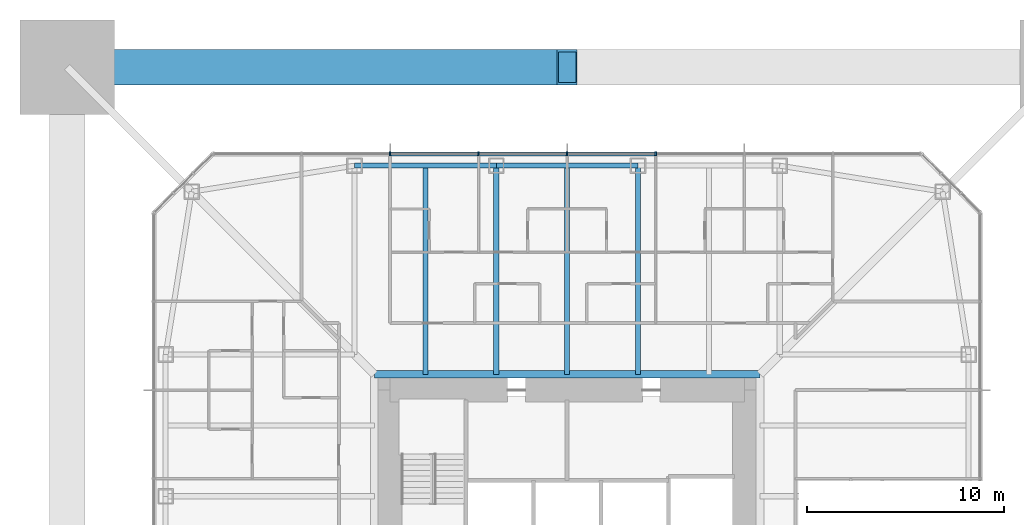
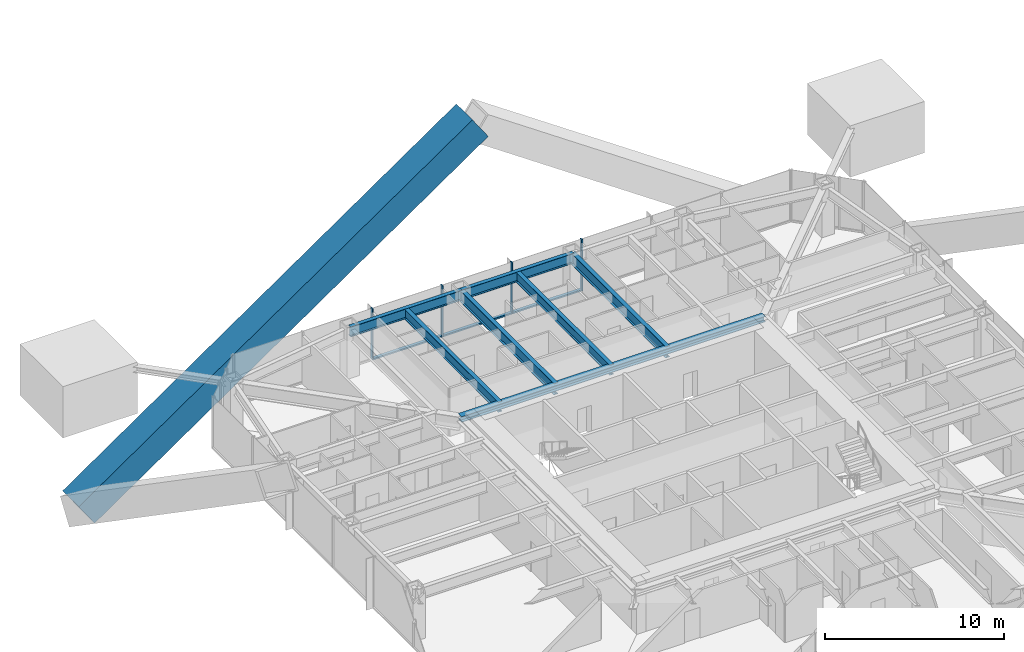
# One storey, part 7 of 26: 8 members, 7 beams, 1 element without a shape of its own.
"""IFC4 building model written with IfcOpenShell, lengths in metres."""

from ifc_helpers import new_model, si_unit, direction, frame, origin, origin_2d, place, context, subcontext, project, spatial, rectangle, hollow_rectangle, i_section, extrude, material, material_profile, profile_set, type_object, element, aggregate, save


model = new_model("IFC4")

# Units and contexts
model_context = context("Model", 3, precision=1e-05, world=origin(), true_north=direction((0.0, 1.0)))
body_context = subcontext(model_context, "Body", "Model", "MODEL_VIEW")
ifc_project = project(units=[si_unit("LENGTHUNIT", "METRE"), si_unit("AREAUNIT", "SQUARE_METRE"), si_unit("VOLUMEUNIT", "CUBIC_METRE"), si_unit("PLANEANGLEUNIT", "RADIAN"), si_unit("MASSUNIT", "GRAM", prefix="KILO")], contexts=[model_context])

# Site, building, storey
site_placement = place(None, origin())
site = spatial("IfcSite", under=ifc_project, at=site_placement, CompositionType="ELEMENT")
building_placement = place(site_placement, origin())
building = spatial("IfcBuilding", under=site, at=building_placement, Name="Iwan Alto Co-Living Towers", CompositionType="ELEMENT")
storey_placement = place(building_placement, frame((0.0, 0.0, 115.5)))
storey = spatial("IfcBuildingStorey", under=building, at=storey_placement, Name="L31", CompositionType="ELEMENT", Elevation=115.5)

# Curtain wall, members
ifc_material_1 = material(Name="Bronze aluminium unitised frame", Category="aluminium")
curtain_wall_type = type_object("IfcCurtainWallType", Name="CURTAIN WALL CW-A", PredefinedType="NOTDEFINED", material=ifc_material_1)
curtain_wall_placement = place(storey_placement, origin())
curtain_wall = element("IfcCurtainWall", 1, at=curtain_wall_placement, inside=storey, type_object=curtain_wall_type, Name="T1 curtain wall N L31", PredefinedType="NOTDEFINED")
ifc_material_2 = material(Name="Aluminium 6063-T6 bronze anodised", Category="aluminium")
ifc_material_profile_1 = material_profile(ifc_material_2, rectangle(XDim=0.199951171875, YDim=0.080078125, at=origin_2d()), Name="AL 80X200")
ifc_profile_set_1 = profile_set([ifc_material_profile_1], Name="Aluminium 6063-T6 bronze anodised")
member_type_1 = type_object("IfcMemberType", Name="CW-A MULLION 80X200", PredefinedType="MULLION", material=ifc_profile_set_1)
member_1_placement = place(storey_placement, frame((4.5, 21.0, 0.0), z_axis=(0.0, 0.0, 1.0), x_axis=(0.0, -1.0, 0.0)))
member_1 = element("IfcMember", 2, at=member_1_placement, type_object=member_type_1, Name="CW-A mullion 4", PredefinedType="MULLION", context=body_context, shape_type="SweptSolid", body=[
    extrude(rectangle(XDim=0.199951171875, YDim=0.080078125, at=origin_2d()), origin(), (0.0, 0.0, 1.0), 3.5),
])
member_2_placement = place(storey_placement, frame((0.0, 21.0, 0.0), z_axis=(0.0, 0.0, 1.0), x_axis=(0.0, -1.0, 0.0)))
member_2 = element("IfcMember", 3, at=member_2_placement, type_object=member_type_1, Name="CW-A mullion 5", PredefinedType="MULLION", context=body_context, shape_type="SweptSolid", body=[
    extrude(rectangle(XDim=0.199951171875, YDim=0.080078125, at=origin_2d()), origin(), (0.0, 0.0, 1.0), 3.5),
])
member_3_placement = place(storey_placement, frame((-4.5, 21.0, 0.0), z_axis=(0.0, 0.0, 1.0), x_axis=(0.0, -1.0, 0.0)))
member_3 = element("IfcMember", 4, at=member_3_placement, type_object=member_type_1, Name="CW-A mullion 6", PredefinedType="MULLION", context=body_context, shape_type="SweptSolid", body=[
    extrude(rectangle(XDim=0.199951171875, YDim=0.080078125, at=origin_2d()), origin(), (0.0, 0.0, 1.0), 3.5),
])
member_4_placement = place(storey_placement, frame((-9.0, 21.0, 0.0), z_axis=(0.0, 0.0, 1.0), x_axis=(0.0, -1.0, 0.0)))
member_4 = element("IfcMember", 5, at=member_4_placement, type_object=member_type_1, Name="CW-A mullion 7", PredefinedType="MULLION", context=body_context, shape_type="SweptSolid", body=[
    extrude(rectangle(XDim=0.199951171875, YDim=0.080078125, at=origin_2d()), origin(), (0.0, 0.0, 1.0), 3.5),
])
ifc_material_3 = material(Name="Aluminium 6063-T6 bronze anodised", Category="aluminium")
ifc_material_profile_2 = material_profile(ifc_material_3, rectangle(XDim=0.199951171875, YDim=0.10009765625, at=origin_2d()), Name="AL 200X100")
ifc_profile_set_2 = profile_set([ifc_material_profile_2], Name="Aluminium 6063-T6 bronze anodised")
member_type_2 = type_object("IfcMemberType", Name="CW-A TRANSOM 200X100", PredefinedType="USERDEFINED", material=ifc_profile_set_2)
member_5_placement = place(storey_placement, frame((4.4599609375, 21.0, 0.050048828125), z_axis=(-1.0, 0.0, 0.0), x_axis=(0.0, -1.0, 0.0)))
member_5 = element("IfcMember", 6, at=member_5_placement, type_object=member_type_2, Name="CW-A transom 4.1", ObjectType="TRANSOM", PredefinedType="USERDEFINED", context=body_context, shape_type="SweptSolid", body=[
    extrude(rectangle(XDim=0.199951171875, YDim=0.10009765625, at=origin_2d()), origin(), (0.0, 0.0, 1.0), 4.419921875),
])
member_6_placement = place(storey_placement, frame((-0.0400390625, 21.0, 0.050048828125), z_axis=(-1.0, 0.0, 0.0), x_axis=(0.0, -1.0, 0.0)))
member_6 = element("IfcMember", 7, at=member_6_placement, type_object=member_type_2, Name="CW-A transom 5.1", ObjectType="TRANSOM", PredefinedType="USERDEFINED", context=body_context, shape_type="SweptSolid", body=[
    extrude(rectangle(XDim=0.199951171875, YDim=0.10009765625, at=origin_2d()), origin(), (0.0, 0.0, 1.0), 4.419921875),
])
member_7_placement = place(storey_placement, frame((-4.5400390625, 21.0, 0.050048828125), z_axis=(-1.0, 0.0, 0.0), x_axis=(0.0, -1.0, 0.0)))
member_7 = element("IfcMember", 8, at=member_7_placement, type_object=member_type_2, Name="CW-A transom 6.1", ObjectType="TRANSOM", PredefinedType="USERDEFINED", context=body_context, shape_type="SweptSolid", body=[
    extrude(rectangle(XDim=0.199951171875, YDim=0.10009765625, at=origin_2d()), origin(), (0.0, 0.0, 1.0), 4.419921875),
])
aggregate(curtain_wall, [member_1, member_2, member_3, member_4, member_5, member_6, member_7])

# Beams
ifc_material_4 = material(Name="Steel ASTM A992 Gr 50", Category="steel")
ifc_material_profile_3 = material_profile(ifc_material_4, i_section(OverallWidth=0.398681640625, OverallDepth=0.385986328125, WebThickness=0.02099609375, FlangeThickness=0.033203125, at=origin_2d()), Name="W14X176")
ifc_profile_set_3 = profile_set([ifc_material_profile_3], Name="Steel ASTM A992 Gr 50")
beam_type_1 = type_object("IfcBeamType", Name="T1 CORE LEDGER BEAM W14X176", PredefinedType="BEAM", material=ifc_profile_set_3)
beam_1_placement = place(storey_placement, frame((9.79931640625, 9.79931640625, 3.076904296875), z_axis=(-1.0, 0.0, 0.0), x_axis=(0.0, -1.0, 0.0)))
element("IfcBeam", 9, at=beam_1_placement, inside=storey, type_object=beam_type_1, Name="T1 core ledger beam N L32", PredefinedType="BEAM", context=body_context, shape_type="SweptSolid", body=[
    extrude(i_section(OverallWidth=0.398681640625, OverallDepth=0.385986328125, WebThickness=0.02099609375, FlangeThickness=0.033203125, at=origin_2d()), origin(), (0.0, 0.0, 1.0), 19.5986328125),
])
ifc_material_5 = material(Name="Steel ASTM A992 Gr 50", Category="steel")
ifc_material_profile_4 = material_profile(ifc_material_5, i_section(OverallWidth=0.25390625, OverallDepth=0.683349609375, WebThickness=0.012451171875, FlangeThickness=0.018798828125, at=origin_2d()), Name="W27X94")
ifc_profile_set_4 = profile_set([ifc_material_profile_4], Name="Steel ASTM A992 Gr 50")
beam_type_2 = type_object("IfcBeamType", Name="T1 EDGE BEAM W27X94", PredefinedType="BEAM", material=ifc_profile_set_4)
beam_2_placement = place(storey_placement, frame((3.60009765625, 20.39990234375, 2.928466796875), z_axis=(-1.0, 0.0, 0.0), x_axis=(0.0, -1.0, 0.0)))
element("IfcBeam", 10, at=beam_2_placement, inside=storey, type_object=beam_type_2, Name="T1 edge beam N2 L32", PredefinedType="BEAM", context=body_context, shape_type="SweptSolid", body=[
    extrude(i_section(OverallWidth=0.25390625, OverallDepth=0.683349609375, WebThickness=0.012451171875, FlangeThickness=0.018798828125, at=origin_2d()), origin(), (0.0, 0.0, 1.0), 7.2001953125),
])
beam_3_placement = place(storey_placement, frame((-3.60009765625, 20.39990234375, 2.928466796875), z_axis=(-1.0, 0.0, 0.0), x_axis=(0.0, -1.0, 0.0)))
element("IfcBeam", 11, at=beam_3_placement, inside=storey, type_object=beam_type_2, Name="T1 edge beam N3 L32", PredefinedType="BEAM", context=body_context, shape_type="SweptSolid", body=[
    extrude(i_section(OverallWidth=0.25390625, OverallDepth=0.683349609375, WebThickness=0.012451171875, FlangeThickness=0.018798828125, at=origin_2d()), origin(), (0.0, 0.0, 1.0), 7.199951171875),
])

# Member
ifc_material_6 = material(Name="Steel ASTM A572 Gr 42", Category="steel")
ifc_material_profile_5 = material_profile(ifc_material_6, hollow_rectangle(XDim=1.800048828125, YDim=1.800048828125, WallThickness=0.1298828125, at=origin_2d()), Name="BOX 1800X1800X130")
ifc_profile_set_5 = profile_set([ifc_material_profile_5], Name="Steel ASTM A572 Gr 42")
member_type_3 = type_object("IfcMemberType", Name="T1 MEGA BRACE BOX 1800X1800X130", PredefinedType="BRACE", material=ifc_profile_set_5)
member_8_placement = place(storey_placement, frame((-25.39990234375, 25.39990234375, -7.0), z_axis=(0.82347292246, 0.0, 0.56735557279), x_axis=(0.0, 1.0, 0.0)))
element("IfcMember", 12, at=member_8_placement, inside=storey, type_object=member_type_3, Name="T1 mega brace Z2B N 2 lower", PredefinedType="BRACE", context=body_context, shape_type="SweptSolid", body=[
    extrude(hollow_rectangle(XDim=1.800048828125, YDim=1.800048828125, WallThickness=0.1298828125, at=origin_2d()), origin(), (0.0, 0.0, 1.0), 30.844970703125),
])

# Beams
ifc_material_7 = material(Name="Steel ASTM A992 Gr 50", Category="steel")
ifc_material_profile_6 = material_profile(ifc_material_7, i_section(OverallWidth=0.2666015625, OverallDepth=0.761962890625, WebThickness=0.014404296875, FlangeThickness=0.021484375, at=origin_2d()), Name="W30X116")
ifc_profile_set_6 = profile_set([ifc_material_profile_6], Name="Steel ASTM A992 Gr 50")
beam_type_3 = type_object("IfcBeamType", Name="T1 RADIAL BEAM W30X116", PredefinedType="BEAM", material=ifc_profile_set_6)
for number, where, z_axis, x_axis, name in (
    (13, (3.60009765625, 20.39990234375, 2.888916015625), (0.0, -1.0, 0.0), (1.0, 0.0, 0.0), "T1 radial beam N2 L32"),
    (14, (-3.60009765625, 20.39990234375, 2.888916015625), (0.0, -1.0, 0.0), (1.0, 0.0, 0.0), "T1 radial beam N3 L32"),
):
    element("IfcBeam", number, at=place(storey_placement, frame(where, z_axis=z_axis, x_axis=x_axis)), inside=storey, type_object=beam_type_3, Name=name, PredefinedType="BEAM", context=body_context, shape_type="SweptSolid", body=[
        extrude(i_section(OverallWidth=0.2666015625, OverallDepth=0.761962890625, WebThickness=0.014404296875, FlangeThickness=0.021484375, at=origin_2d()), origin(), (0.0, 0.0, 1.0), 10.6005859375),
    ])
ifc_material_8 = material(Name="Steel ASTM A992 Gr 50", Category="steel")
ifc_material_profile_7 = material_profile(ifc_material_8, i_section(OverallWidth=0.25390625, OverallDepth=0.683349609375, WebThickness=0.012451171875, FlangeThickness=0.018798828125, at=origin_2d()), Name="W27X94")
ifc_profile_set_7 = profile_set([ifc_material_profile_7], Name="Steel ASTM A992 Gr 50")
beam_type_4 = type_object("IfcBeamType", Name="T1 SECONDARY BEAM W27X94", PredefinedType="JOIST", material=ifc_profile_set_7)
for number, where, z_axis, x_axis, name in (
    (15, (0.0, 20.39990234375, 2.928466796875), (0.0, -1.0, 0.0), (1.0, 0.0, 0.0), "T1 secondary beam N2 L32"),
    (16, (-7.199951171875, 20.39990234375, 2.928466796875), (0.0, -1.0, 0.0), (1.0, 0.0, 0.0), "T1 secondary beam N3 L32"),
):
    element("IfcBeam", number, at=place(storey_placement, frame(where, z_axis=z_axis, x_axis=x_axis)), inside=storey, type_object=beam_type_4, Name=name, PredefinedType="JOIST", context=body_context, shape_type="SweptSolid", body=[
        extrude(i_section(OverallWidth=0.25390625, OverallDepth=0.683349609375, WebThickness=0.012451171875, FlangeThickness=0.018798828125, at=origin_2d()), origin(), (0.0, 0.0, 1.0), 10.6005859375),
    ])

save(model, "model.ifc")
